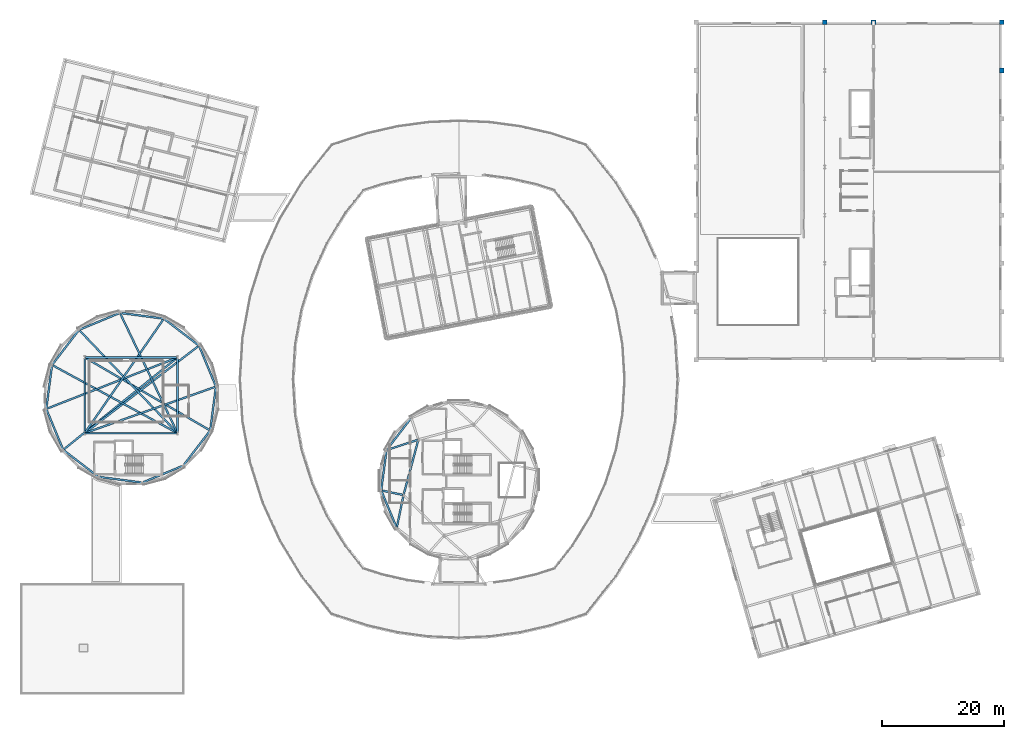
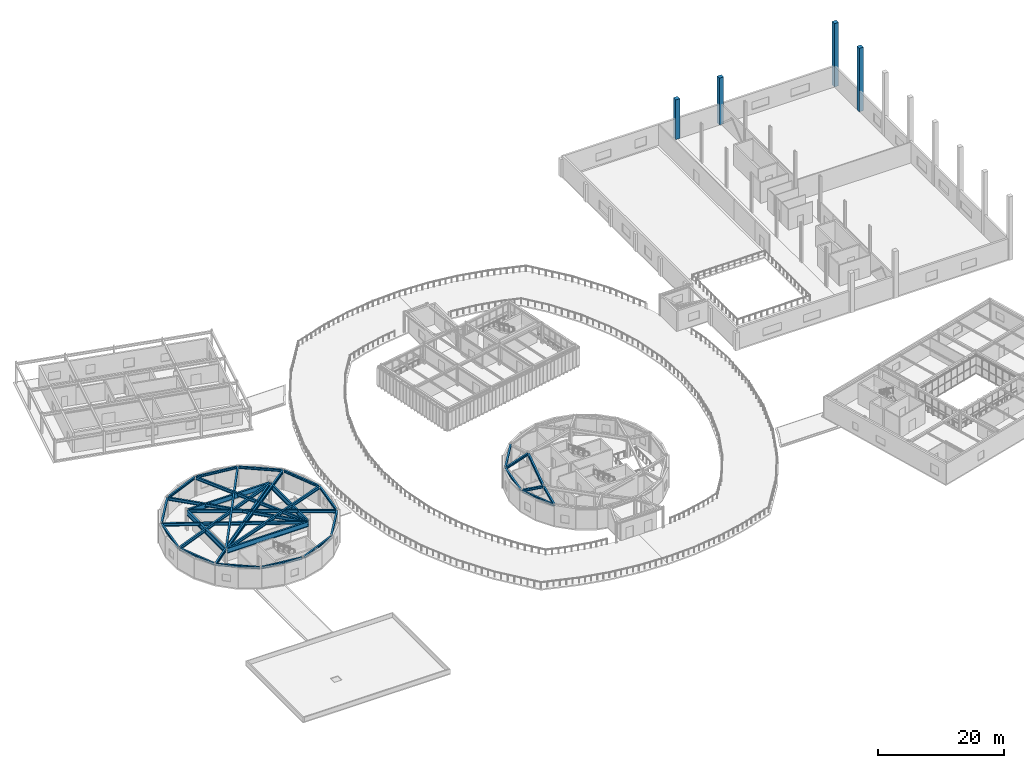
# One storey, part 15 of 59: 32 beams, 4 columns.
"""IFC4 building model written with IfcOpenShell, lengths in metres."""

from ifc_helpers import new_model, si_unit, direction, frame, origin, origin_2d, place, context, subcontext, project, spatial, rectangle, i_section, extrude, material, material_profile, profile_set, type_object, element, save


model = new_model("IFC4")

# Units and contexts
model_context = context("Model", 3, precision=1e-05, world=origin(), true_north=direction((0.0, 1.0)))
body_context = subcontext(model_context, "Body", "Model", "MODEL_VIEW")
ifc_project = project(units=[si_unit("LENGTHUNIT", "METRE"), si_unit("AREAUNIT", "SQUARE_METRE"), si_unit("VOLUMEUNIT", "CUBIC_METRE"), si_unit("PLANEANGLEUNIT", "RADIAN"), si_unit("MASSUNIT", "GRAM", prefix="KILO")], contexts=[model_context])

# Site, building, storey
site_placement = place(None, origin())
site = spatial("IfcSite", under=ifc_project, at=site_placement, CompositionType="ELEMENT")
building_placement = place(site_placement, origin())
building = spatial("IfcBuilding", under=site, at=building_placement, Name="Varnklinge Art Gallery", CompositionType="ELEMENT")
storey_placement = place(building_placement, frame((0.0, 0.0, 9.52001953125)))
storey = spatial("IfcBuildingStorey", under=building, at=storey_placement, Name="L02", CompositionType="ELEMENT", Elevation=9.52001953125)

# Columns
ifc_material_1 = material(Name="Concrete C40/50", Category="concrete")
ifc_material_profile_1 = material_profile(ifc_material_1, rectangle(XDim=0.75, YDim=0.75, at=origin_2d()), Name="RC 750x750")
ifc_profile_set_1 = profile_set([ifc_material_profile_1], Name="Concrete C40/50")
column_type = type_object("IfcColumnType", Name="PIL-01", PredefinedType="PILASTER", material=ifc_profile_set_1)
column_1_placement = place(storey_placement, frame((135.39990234375, 113.5, 0.0), z_axis=(0.0, 0.0, 1.0), x_axis=(1.0, 0.0, 0.0)))
element("IfcColumn", 1, at=column_1_placement, inside=storey, type_object=column_type, Name="L02 Column V1C-2-8", PredefinedType="PILASTER", context=body_context, shape_type="SweptSolid", body=[
    extrude(rectangle(XDim=0.75, YDim=0.75, at=origin_2d()), origin(), (0.0, 0.0, 1.0), 7.64990234375),
])
column_2_placement = place(storey_placement, frame((143.39990234375, 113.5, 0.0), z_axis=(0.0, 0.0, 1.0), x_axis=(1.0, 0.0, 0.0)))
element("IfcColumn", 2, at=column_2_placement, inside=storey, type_object=column_type, Name="L02 Column V1C-3-8", PredefinedType="PILASTER", context=body_context, shape_type="SweptSolid", body=[
    extrude(rectangle(XDim=0.75, YDim=0.75, at=origin_2d()), origin(), (0.0, 0.0, 1.0), 9.050048828125),
])
for number, where, z_axis, x_axis, name in (
    (3, (164.39990234375, 105.60009765625, 0.0), (0.0, 0.0, 1.0), (1.0, 0.0, 0.0), "L02 Column V1C-4-7"),
    (4, (164.39990234375, 113.5, 0.0), (0.0, 0.0, 1.0), (1.0, 0.0, 0.0), "L02 Column V1C-4-8"),
):
    element("IfcColumn", number, at=place(storey_placement, frame(where, z_axis=z_axis, x_axis=x_axis)), inside=storey, type_object=column_type, Name=name, PredefinedType="PILASTER", context=body_context, shape_type="SweptSolid", body=[
        extrude(rectangle(XDim=0.75, YDim=0.75, at=origin_2d()), origin(), (0.0, 0.0, 1.0), 12.25),
    ])

# Beams
ifc_material_2 = material(Name="Steel S355", Category="steel")
ifc_material_profile_2 = material_profile(ifc_material_2, i_section(OverallWidth=0.300048828125, OverallDepth=1.0, WebThickness=0.01904296875, FlangeThickness=0.035888671875, FilletRadius=0.030029296875, at=origin_2d()), Name="HEB 1000")
ifc_profile_set_2 = profile_set([ifc_material_profile_2], Name="Steel S355")
beam_type_1 = type_object("IfcBeamType", Name="BM-01", PredefinedType="BEAM", material=ifc_profile_set_2)
beam_1_placement = place(storey_placement, frame((14.35009765625, 46.199951171875, 3.43994140625), z_axis=(1.0, 0.0, 0.0), x_axis=(0.0, 1.0, 0.0)))
element("IfcBeam", 5, at=beam_1_placement, inside=storey, type_object=beam_type_1, Name="L02 BM-01 BM-V3-L03-B1", PredefinedType="BEAM", context=body_context, shape_type="SweptSolid", body=[
    extrude(i_section(OverallWidth=0.300048828125, OverallDepth=1.0, WebThickness=0.01904296875, FlangeThickness=0.035888671875, FilletRadius=0.030029296875, at=origin_2d()), origin(), (0.0, 0.0, 1.0), 14.89990234375),
])
beam_2_placement = place(storey_placement, frame((29.39990234375, 46.35009765625, 3.43994140625), z_axis=(0.0, 1.0, 0.0), x_axis=(-1.0, 0.0, 0.0)))
element("IfcBeam", 6, at=beam_2_placement, inside=storey, type_object=beam_type_1, Name="L02 BM-01 BM-V3-L03-B2", PredefinedType="BEAM", context=body_context, shape_type="SweptSolid", body=[
    extrude(i_section(OverallWidth=0.300048828125, OverallDepth=1.0, WebThickness=0.01904296875, FlangeThickness=0.035888671875, FilletRadius=0.030029296875, at=origin_2d()), origin(), (0.0, 0.0, 1.0), 12.099853515625),
])
beam_3_placement = place(storey_placement, frame((29.25, 58.60009765625, 3.43994140625), z_axis=(-1.0, 0.0, 0.0), x_axis=(0.0, -1.0, 0.0)))
element("IfcBeam", 7, at=beam_3_placement, inside=storey, type_object=beam_type_1, Name="L02 BM-01 BM-V3-L03-B3", PredefinedType="BEAM", context=body_context, shape_type="SweptSolid", body=[
    extrude(i_section(OverallWidth=0.300048828125, OverallDepth=1.0, WebThickness=0.01904296875, FlangeThickness=0.035888671875, FilletRadius=0.030029296875, at=origin_2d()), origin(), (0.0, 0.0, 1.0), 14.89990234375),
])
beam_4_placement = place(storey_placement, frame((14.199951171875, 58.449951171875, 3.43994140625), z_axis=(0.0, -1.0, 0.0), x_axis=(1.0, 0.0, 0.0)))
element("IfcBeam", 8, at=beam_4_placement, inside=storey, type_object=beam_type_1, Name="L02 BM-01 BM-V3-L03-B4", PredefinedType="BEAM", context=body_context, shape_type="SweptSolid", body=[
    extrude(i_section(OverallWidth=0.300048828125, OverallDepth=1.0, WebThickness=0.01904296875, FlangeThickness=0.035888671875, FilletRadius=0.030029296875, at=origin_2d()), origin(), (0.0, 0.0, 1.0), 12.099853515625),
])
ifc_material_3 = material(Name="Steel S355", Category="steel")
ifc_material_profile_3 = material_profile(ifc_material_3, i_section(OverallWidth=0.300048828125, OverallDepth=0.590087890625, WebThickness=0.012939453125, FlangeThickness=0.02490234375, FilletRadius=0.027099609375, at=origin_2d()), Name="HEA 600")
ifc_profile_set_3 = profile_set([ifc_material_profile_3], Name="Steel S355")
beam_type_2 = type_object("IfcBeamType", Name="BM-06", PredefinedType="BEAM", material=ifc_profile_set_3)
beam_5_placement = place(storey_placement, frame((14.331787109375, 46.246826171875, 3.64501953125), z_axis=(0.942415078028, 0.334445542211, 0.0), x_axis=(-0.334445542211, 0.942415078028, 0.0)))
element("IfcBeam", 9, at=beam_5_placement, inside=storey, type_object=beam_type_2, Name="L02 BM-06 BM-V3-L03-R01", PredefinedType="BEAM", context=body_context, shape_type="SweptSolid", body=[
    extrude(i_section(OverallWidth=0.300048828125, OverallDepth=0.590087890625, WebThickness=0.012939453125, FlangeThickness=0.02490234375, FilletRadius=0.027099609375, at=origin_2d()), origin(), (0.0, 0.0, 1.0), 22.533935546875),
])
beam_6_placement = place(storey_placement, frame((14.311279296875, 46.28515625, 3.64501953125), z_axis=(0.793999311532, 0.607918656801, 0.0), x_axis=(-0.607918656801, 0.793999311532, 0.0)))
element("IfcBeam", 10, at=beam_6_placement, inside=storey, type_object=beam_type_2, Name="L02 BM-06 BM-V3-L03-R02", PredefinedType="BEAM", context=body_context, shape_type="SweptSolid", body=[
    extrude(i_section(OverallWidth=0.300048828125, OverallDepth=0.590087890625, WebThickness=0.012939453125, FlangeThickness=0.02490234375, FilletRadius=0.027099609375, at=origin_2d()), origin(), (0.0, 0.0, 1.0), 23.300048828125),
])
beam_7_placement = place(storey_placement, frame((14.279541015625, 46.315185546875, 3.64501953125), z_axis=(0.568696833089, 0.822547209608, 0.0), x_axis=(-0.822547209608, 0.568696833089, 0.0)))
element("IfcBeam", 11, at=beam_7_placement, inside=storey, type_object=beam_type_2, Name="L02 BM-06 BM-V3-L03-R03", PredefinedType="BEAM", context=body_context, shape_type="SweptSolid", body=[
    extrude(i_section(OverallWidth=0.300048828125, OverallDepth=0.590087890625, WebThickness=0.012939453125, FlangeThickness=0.02490234375, FilletRadius=0.027099609375, at=origin_2d()), origin(), (0.0, 0.0, 1.0), 22.518310546875),
])
beam_8_placement = place(storey_placement, frame((29.339599609375, 46.326416015625, 3.64501953125), z_axis=(-0.431765596733, 0.901985847715, 0.0), x_axis=(-0.901985847715, -0.431765596733, 0.0)))
element("IfcBeam", 12, at=beam_8_placement, inside=storey, type_object=beam_type_2, Name="L02 BM-06 BM-V3-L03-R04", PredefinedType="BEAM", context=body_context, shape_type="SweptSolid", body=[
    extrude(i_section(OverallWidth=0.300048828125, OverallDepth=0.590087890625, WebThickness=0.012939453125, FlangeThickness=0.02490234375, FilletRadius=0.027099609375, at=origin_2d()), origin(), (0.0, 0.0, 1.0), 21.560546875),
])
beam_9_placement = place(storey_placement, frame((29.303466796875, 46.30126953125, 3.64501953125), z_axis=(-0.690055379945, 0.723756569994, 0.0), x_axis=(-0.723756569994, -0.690055379945, 0.0)))
element("IfcBeam", 13, at=beam_9_placement, inside=storey, type_object=beam_type_2, Name="L02 BM-06 BM-V3-L03-R05", PredefinedType="BEAM", context=body_context, shape_type="SweptSolid", body=[
    extrude(i_section(OverallWidth=0.300048828125, OverallDepth=0.590087890625, WebThickness=0.012939453125, FlangeThickness=0.02490234375, FilletRadius=0.027099609375, at=origin_2d()), origin(), (0.0, 0.0, 1.0), 23.10205078125),
])
beam_10_placement = place(storey_placement, frame((29.277099609375, 46.266845703125, 3.64501953125), z_axis=(-0.878712659492, 0.477351088873, 0.0), x_axis=(-0.477351088873, -0.878712659492, 0.0)))
element("IfcBeam", 14, at=beam_10_placement, inside=storey, type_object=beam_type_2, Name="L02 BM-06 BM-V3-L03-R06", PredefinedType="BEAM", context=body_context, shape_type="SweptSolid", body=[
    extrude(i_section(OverallWidth=0.300048828125, OverallDepth=0.590087890625, WebThickness=0.012939453125, FlangeThickness=0.02490234375, FilletRadius=0.027099609375, at=origin_2d()), origin(), (0.0, 0.0, 1.0), 23.10986328125),
])
beam_11_placement = place(storey_placement, frame((29.269775390625, 58.548828125, 3.64501953125), z_axis=(-0.930996731965, -0.365027512757, 0.0), x_axis=(0.365027512757, -0.930996731965, 0.0)))
element("IfcBeam", 15, at=beam_11_placement, inside=storey, type_object=beam_type_2, Name="L02 BM-06 BM-V3-L03-R07", PredefinedType="BEAM", context=body_context, shape_type="SweptSolid", body=[
    extrude(i_section(OverallWidth=0.300048828125, OverallDepth=0.590087890625, WebThickness=0.012939453125, FlangeThickness=0.02490234375, FilletRadius=0.027099609375, at=origin_2d()), origin(), (0.0, 0.0, 1.0), 22.813720703125),
])
beam_12_placement = place(storey_placement, frame((29.291015625, 58.511962890625, 3.64501953125), z_axis=(-0.777684563624, -0.628654690192, 0.0), x_axis=(0.628654690192, -0.777684563624, 0.0)))
element("IfcBeam", 16, at=beam_12_placement, inside=storey, type_object=beam_type_2, Name="L02 BM-06 BM-V3-L03-R08", PredefinedType="BEAM", context=body_context, shape_type="SweptSolid", body=[
    extrude(i_section(OverallWidth=0.300048828125, OverallDepth=0.590087890625, WebThickness=0.012939453125, FlangeThickness=0.02490234375, FilletRadius=0.027099609375, at=origin_2d()), origin(), (0.0, 0.0, 1.0), 23.794921875),
])
beam_13_placement = place(storey_placement, frame((14.321044921875, 58.529541015625, 3.64501953125), z_axis=(0.864213746904, -0.503124835068, 0.0), x_axis=(0.503124835068, 0.864213746904, 0.0)))
element("IfcBeam", 17, at=beam_13_placement, inside=storey, type_object=beam_type_2, Name="L02 BM-06 BM-V3-L03-R12", PredefinedType="BEAM", context=body_context, shape_type="SweptSolid", body=[
    extrude(i_section(OverallWidth=0.300048828125, OverallDepth=0.590087890625, WebThickness=0.012939453125, FlangeThickness=0.02490234375, FilletRadius=0.027099609375, at=origin_2d()), origin(), (0.0, 0.0, 1.0), 23.501953125),
])
beam_14_placement = place(storey_placement, frame((68.81689453125, 45.01171875, 3.6650390625), z_axis=(-0.258808787016, -0.965928574877, 0.0), x_axis=(0.965928574877, -0.258808787016, 0.0)))
element("IfcBeam", 18, at=beam_14_placement, inside=storey, type_object=beam_type_2, Name="L02 BM-06 BM-V4D-L03-I3", PredefinedType="BEAM", context=body_context, shape_type="SweptSolid", body=[
    extrude(i_section(OverallWidth=0.300048828125, OverallDepth=0.590087890625, WebThickness=0.012939453125, FlangeThickness=0.02490234375, FilletRadius=0.027099609375, at=origin_2d()), origin(), (0.0, 0.0, 1.0), 9.1201171875),
])
ifc_material_4 = material(Name="Steel S355", Category="steel")
ifc_material_profile_4 = material_profile(ifc_material_4, i_section(OverallWidth=0.300048828125, OverallDepth=0.43994140625, WebThickness=0.011474609375, FlangeThickness=0.02099609375, FilletRadius=0.027099609375, at=origin_2d()), Name="HEA 450")
ifc_profile_set_4 = profile_set([ifc_material_profile_4], Name="Steel S355")
beam_type_3 = type_object("IfcBeamType", Name="BM-08", PredefinedType="BEAM", material=ifc_profile_set_4)
beam_15_placement = place(storey_placement, frame((68.72021484375, 45.102783203125, 3.739990234375), z_axis=(-0.949354152102, -0.314208042366, 0.0), x_axis=(0.314208042366, -0.949354152102, 0.0)))
element("IfcBeam", 19, at=beam_15_placement, inside=storey, type_object=beam_type_3, Name="L02 BM-08 BM-V4D-L03-R06", PredefinedType="BEAM", context=body_context, shape_type="SweptSolid", body=[
    extrude(i_section(OverallWidth=0.300048828125, OverallDepth=0.43994140625, WebThickness=0.011474609375, FlangeThickness=0.02099609375, FilletRadius=0.027099609375, at=origin_2d()), origin(), (0.0, 0.0, 1.0), 5.223876953125),
])
beam_16_placement = place(storey_placement, frame((66.283203125, 36.095458984375, 3.739990234375), z_axis=(-0.979353549328, 0.202154953982, 0.0), x_axis=(-0.202154953982, -0.979353549328, 0.0)))
element("IfcBeam", 20, at=beam_16_placement, inside=storey, type_object=beam_type_3, Name="L02 BM-08 BM-V4D-L03-R07", PredefinedType="BEAM", context=body_context, shape_type="SweptSolid", body=[
    extrude(i_section(OverallWidth=0.300048828125, OverallDepth=0.43994140625, WebThickness=0.011474609375, FlangeThickness=0.02099609375, FilletRadius=0.027099609375, at=origin_2d()), origin(), (0.0, 0.0, 1.0), 3.45751953125),
])
beam_17_placement = place(storey_placement, frame((66.391845703125, 35.929931640625, 3.739990234375), z_axis=(-0.202556149381, -0.979270650202, 0.0), x_axis=(0.979270650202, -0.202556149381, 0.0)))
element("IfcBeam", 21, at=beam_17_placement, inside=storey, type_object=beam_type_3, Name="L02 BM-08 BM-V4D-L03-R08", PredefinedType="BEAM", context=body_context, shape_type="SweptSolid", body=[
    extrude(i_section(OverallWidth=0.300048828125, OverallDepth=0.43994140625, WebThickness=0.011474609375, FlangeThickness=0.02099609375, FilletRadius=0.027099609375, at=origin_2d()), origin(), (0.0, 0.0, 1.0), 5.223876953125),
])
ifc_material_5 = material(Name="Steel S355", Category="steel")
ifc_material_profile_5 = material_profile(ifc_material_5, i_section(OverallWidth=0.300048828125, OverallDepth=0.43994140625, WebThickness=0.011474609375, FlangeThickness=0.02099609375, FilletRadius=0.027099609375, at=origin_2d()), Name="HEA 450")
ifc_profile_set_5 = profile_set([ifc_material_profile_5], Name="Steel S355")
beam_type_4 = type_object("IfcBeamType", Name="SPB-02", PredefinedType="SPANDREL", material=ifc_profile_set_5)
beam_18_placement = place(storey_placement, frame((35.646484375, 53.959228515625, 3.719970703125), z_axis=(-0.382686571243, 0.923878232339, 0.0), x_axis=(-0.923878232339, -0.382686571243, 0.0)))
element("IfcBeam", 22, at=beam_18_placement, inside=storey, type_object=beam_type_4, Name="L02 SPB-02 BM-V3-L03-P01", PredefinedType="SPANDREL", context=body_context, shape_type="SweptSolid", body=[
    extrude(i_section(OverallWidth=0.300048828125, OverallDepth=0.43994140625, WebThickness=0.011474609375, FlangeThickness=0.02099609375, FilletRadius=0.027099609375, at=origin_2d()), origin(), (0.0, 0.0, 1.0), 6.9775390625),
])
beam_19_placement = place(storey_placement, frame((32.811767578125, 60.6201171875, 3.719970703125), z_axis=(-0.793346661628, 0.608770132713, 0.0), x_axis=(-0.608770132713, -0.793346661628, 0.0)))
element("IfcBeam", 23, at=beam_19_placement, inside=storey, type_object=beam_type_4, Name="L02 SPB-02 BM-V3-L03-P02", PredefinedType="SPANDREL", context=body_context, shape_type="SweptSolid", body=[
    extrude(i_section(OverallWidth=0.300048828125, OverallDepth=0.43994140625, WebThickness=0.011474609375, FlangeThickness=0.02099609375, FilletRadius=0.027099609375, at=origin_2d()), origin(), (0.0, 0.0, 1.0), 6.977294921875),
])
beam_20_placement = place(storey_placement, frame((27.0263671875, 64.97119140625, 3.719970703125), z_axis=(-0.991445956564, 0.130517873155, 0.0), x_axis=(-0.130517873155, -0.991445956564, 0.0)))
element("IfcBeam", 24, at=beam_20_placement, inside=storey, type_object=beam_type_4, Name="L02 SPB-02 BM-V3-L03-P03", PredefinedType="SPANDREL", context=body_context, shape_type="SweptSolid", body=[
    extrude(i_section(OverallWidth=0.300048828125, OverallDepth=0.43994140625, WebThickness=0.011474609375, FlangeThickness=0.02099609375, FilletRadius=0.027099609375, at=origin_2d()), origin(), (0.0, 0.0, 1.0), 6.97705078125),
])
for number, where, z_axis, x_axis, name in (
    (25, (19.8408203125, 65.846435546875, 3.719970703125), (-0.92389060297, -0.38265670482, 0.0), (0.38265670482, -0.92389060297, 0.0), "L02 SPB-02 BM-V3-L03-P04"),
    (26, (13.179931640625, 63.01171875, 3.719970703125), (-0.608770132713, -0.793346661628, 0.0), (0.793346661628, -0.608770132713, 0.0), "L02 SPB-02 BM-V3-L03-P05"),
):
    element("IfcBeam", number, at=place(storey_placement, frame(where, z_axis=z_axis, x_axis=x_axis)), inside=storey, type_object=beam_type_4, Name=name, PredefinedType="SPANDREL", context=body_context, shape_type="SweptSolid", body=[
        extrude(i_section(OverallWidth=0.300048828125, OverallDepth=0.43994140625, WebThickness=0.011474609375, FlangeThickness=0.02099609375, FilletRadius=0.027099609375, at=origin_2d()), origin(), (0.0, 0.0, 1.0), 6.977294921875),
    ])
beam_21_placement = place(storey_placement, frame((8.828857421875, 57.226318359375, 3.719970703125), z_axis=(-0.130517873155, -0.991445956564, 0.0), x_axis=(0.991445956564, -0.130517873155, 0.0)))
element("IfcBeam", 27, at=beam_21_placement, inside=storey, type_object=beam_type_4, Name="L02 SPB-02 BM-V3-L03-P06", PredefinedType="SPANDREL", context=body_context, shape_type="SweptSolid", body=[
    extrude(i_section(OverallWidth=0.300048828125, OverallDepth=0.43994140625, WebThickness=0.011474609375, FlangeThickness=0.02099609375, FilletRadius=0.027099609375, at=origin_2d()), origin(), (0.0, 0.0, 1.0), 6.97705078125),
])
for number, where, z_axis, x_axis, name in (
    (28, (7.95361328125, 50.040771484375, 3.719970703125), (0.38265670482, -0.92389060297, 0.0), (0.92389060297, 0.38265670482, 0.0), "L02 SPB-02 BM-V3-L03-P07"),
    (29, (10.788330078125, 43.3798828125, 3.719970703125), (0.793346661628, -0.608770132713, 0.0), (0.608770132713, 0.793346661628, 0.0), "L02 SPB-02 BM-V3-L03-P08"),
    (30, (16.573486328125, 39.02880859375, 3.719970703125), (0.991446552608, -0.130513345376, 0.0), (0.130513345376, 0.991446552608, 0.0), "L02 SPB-02 BM-V3-L03-P09"),
    (31, (23.75927734375, 38.153564453125, 3.719970703125), (0.92389060297, 0.38265670482, 0.0), (-0.38265670482, 0.92389060297, 0.0), "L02 SPB-02 BM-V3-L03-P10"),
    (32, (30.419921875, 40.98828125, 3.719970703125), (0.608770132713, 0.793346661628, 0.0), (-0.793346661628, 0.608770132713, 0.0), "L02 SPB-02 BM-V3-L03-P11"),
    (33, (34.77099609375, 46.773681640625, 3.719970703125), (0.130552268231, 0.991441428053, 0.0), (-0.991441428053, 0.130552268231, 0.0), "L02 SPB-02 BM-V3-L03-P12"),
):
    element("IfcBeam", number, at=place(storey_placement, frame(where, z_axis=z_axis, x_axis=x_axis)), inside=storey, type_object=beam_type_4, Name=name, PredefinedType="SPANDREL", context=body_context, shape_type="SweptSolid", body=[
        extrude(i_section(OverallWidth=0.300048828125, OverallDepth=0.43994140625, WebThickness=0.011474609375, FlangeThickness=0.02099609375, FilletRadius=0.027099609375, at=origin_2d()), origin(), (0.0, 0.0, 1.0), 6.977294921875),
    ])
ifc_material_6 = material(Name="Steel S355", Category="steel")
ifc_material_profile_6 = material_profile(ifc_material_6, i_section(OverallWidth=0.300048828125, OverallDepth=0.389892578125, WebThickness=0.010986328125, FlangeThickness=0.01904296875, FilletRadius=0.027099609375, at=origin_2d()), Name="HEA 400")
ifc_profile_set_6 = profile_set([ifc_material_profile_6], Name="Steel S355")
beam_type_5 = type_object("IfcBeamType", Name="SPB-03", PredefinedType="SPANDREL", material=ifc_profile_set_6)
beam_22_placement = place(storey_placement, frame((67.59228515625, 48.58349609375, 3.764892578125), z_axis=(-0.608773359857, -0.793344185287, 0.0), x_axis=(0.793344185287, -0.608773359857, 0.0)))
element("IfcBeam", 34, at=beam_22_placement, inside=storey, type_object=beam_type_5, Name="L02 SPB-03 BM-V4D-L03-P05", PredefinedType="SPANDREL", context=body_context, shape_type="SweptSolid", body=[
    extrude(i_section(OverallWidth=0.300048828125, OverallDepth=0.389892578125, WebThickness=0.010986328125, FlangeThickness=0.01904296875, FilletRadius=0.027099609375, at=origin_2d()), origin(), (0.0, 0.0, 1.0), 6.37158203125),
])
beam_23_placement = place(storey_placement, frame((63.60986328125, 43.27880859375, 3.764892578125), z_axis=(-0.130502087099, -0.991448034575, 0.0), x_axis=(0.991448034575, -0.130502087099, 0.0)))
element("IfcBeam", 35, at=beam_23_placement, inside=storey, type_object=beam_type_5, Name="L02 SPB-03 BM-V4D-L03-P06", PredefinedType="SPANDREL", context=body_context, shape_type="SweptSolid", body=[
    extrude(i_section(OverallWidth=0.300048828125, OverallDepth=0.389892578125, WebThickness=0.010986328125, FlangeThickness=0.01904296875, FilletRadius=0.027099609375, at=origin_2d()), origin(), (0.0, 0.0, 1.0), 6.371826171875),
])
beam_24_placement = place(storey_placement, frame((62.8134765625, 36.693359375, 3.764892578125), z_axis=(0.382666510137, -0.923886541746, 0.0), x_axis=(0.923886541746, 0.382666510137, 0.0)))
element("IfcBeam", 36, at=beam_24_placement, inside=storey, type_object=beam_type_5, Name="L02 SPB-03 BM-V4D-L03-P07", PredefinedType="SPANDREL", context=body_context, shape_type="SweptSolid", body=[
    extrude(i_section(OverallWidth=0.300048828125, OverallDepth=0.389892578125, WebThickness=0.010986328125, FlangeThickness=0.01904296875, FilletRadius=0.027099609375, at=origin_2d()), origin(), (0.0, 0.0, 1.0), 6.37158203125),
])

save(model, "model.ifc")
